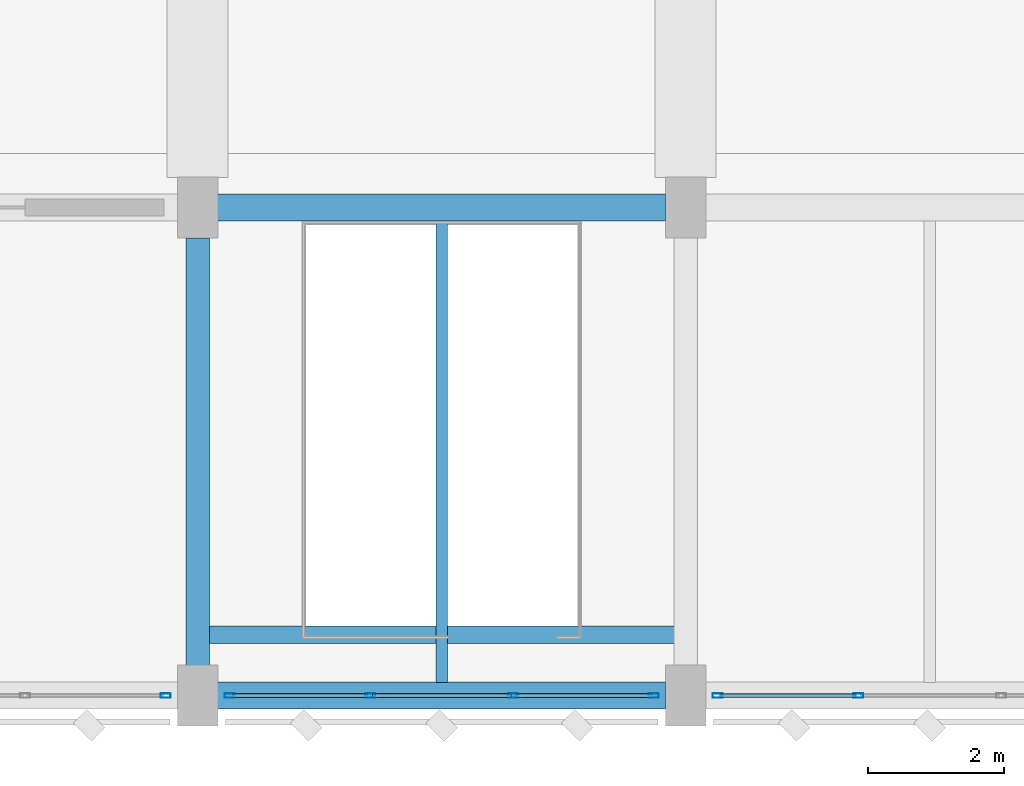
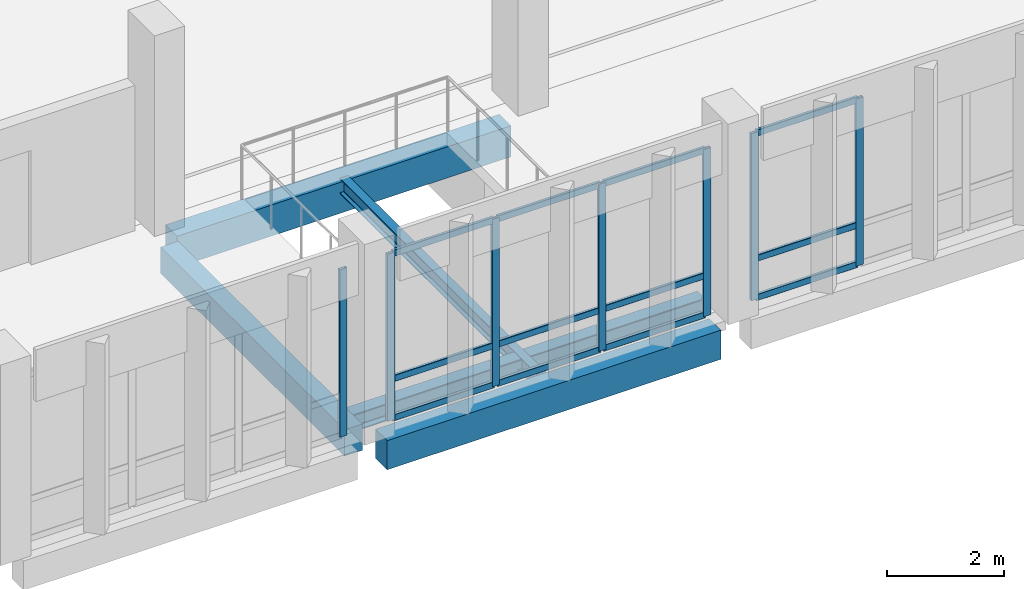
# One storey, part 72 of 158: 19 members, 5 beams, 3 elements without a shape of their own.
"""IFC4 building model written with IfcOpenShell, lengths in metres."""

from ifc_helpers import new_model, si_unit, direction, frame, origin, origin_2d, place, context, subcontext, project, spatial, rectangle, hollow_rectangle, i_section, extrude, material, material_profile, profile_set, type_object, element, aggregate, save


model = new_model("IFC4")

# Units and contexts
model_context = context("Model", 3, precision=1e-05, world=origin(), true_north=direction((0.0, 1.0)))
body_context = subcontext(model_context, "Body", "Model", "MODEL_VIEW")
ifc_project = project(units=[si_unit("LENGTHUNIT", "METRE"), si_unit("AREAUNIT", "SQUARE_METRE"), si_unit("VOLUMEUNIT", "CUBIC_METRE"), si_unit("PLANEANGLEUNIT", "RADIAN"), si_unit("MASSUNIT", "GRAM", prefix="KILO")], contexts=[model_context])

# Site, building, storey
site_placement = place(None, origin())
site = spatial("IfcSite", under=ifc_project, at=site_placement, CompositionType="ELEMENT")
building_placement = place(site_placement, origin())
building = spatial("IfcBuilding", under=site, at=building_placement, Name="Lusvemor Sports Hall", CompositionType="ELEMENT")
storey_placement = place(building_placement, frame((0.0, 0.0, 10.800048828125)))
storey = spatial("IfcBuildingStorey", under=building, at=storey_placement, Name="L02", CompositionType="ELEMENT", Elevation=10.800048828125)

# Beams
ifc_material_1 = material(Name="Concrete C40/50", Category="concrete")
ifc_material_profile_1 = material_profile(ifc_material_1, rectangle(XDim=0.35009765625, YDim=0.550048828125, at=origin_2d()), Name="RC350x550")
ifc_profile_set_1 = profile_set([ifc_material_profile_1], Name="Concrete C40/50")
beam_type_1 = type_object("IfcBeamType", Name="BEAM_RC_550", PredefinedType="BEAM", material=ifc_profile_set_1)
beam_1_placement = place(storey_placement, frame((126.0, 0.446044921875, -0.53515625), z_axis=(0.0, 1.0, 0.0), x_axis=(-1.0, 0.0, 0.0)))
element("IfcBeam", 1, at=beam_1_placement, inside=storey, type_object=beam_type_1, Name="Beam L02 14:A-B", PredefinedType="BEAM", context=body_context, shape_type="SweptSolid", body=[
    extrude(rectangle(XDim=0.35009765625, YDim=0.550048828125, at=origin_2d()), origin(), (0.0, 0.0, 1.0), 6.307861328125),
])
ifc_material_2 = material(Name="Concrete C40/50", Category="concrete")
ifc_material_profile_2 = material_profile(ifc_material_2, rectangle(XDim=0.39990234375, YDim=0.64990234375, at=origin_2d()), Name="RC400x650")
ifc_profile_set_2 = profile_set([ifc_material_profile_2], Name="Concrete C40/50")
beam_type_2 = type_object("IfcBeamType", Name="BEAM_RC_650", PredefinedType="BEAM", material=ifc_profile_set_2)
beam_2_placement = place(storey_placement, frame((126.2958984375, 7.199951171875, -0.675048828125), z_axis=(1.0, 0.0, 0.0), x_axis=(0.0, 1.0, 0.0)))
element("IfcBeam", 2, at=beam_2_placement, inside=storey, type_object=beam_type_2, Name="Beam L02 B:14-15", PredefinedType="BEAM", context=body_context, shape_type="SweptSolid", body=[
    extrude(rectangle(XDim=0.39990234375, YDim=0.64990234375, at=origin_2d()), origin(), (0.0, 0.0, 1.0), 6.608154296875),
])
ifc_material_3 = material(Name="Steel S355", Category="steel")
ifc_material_profile_3 = material_profile(ifc_material_3, i_section(OverallWidth=0.256103515625, OverallDepth=0.360107421875, WebThickness=0.011474609375, FlangeThickness=0.02001953125, FilletRadius=0.014892578125, at=origin_2d()), Name="W360x110.0")
ifc_profile_set_3 = profile_set([ifc_material_profile_3], Name="Steel S355")
beam_type_3 = type_object("IfcBeamType", Name="BEAM_ST_360H", PredefinedType="BEAM", material=ifc_profile_set_3)
beam_3_placement = place(storey_placement, frame((126.050048828125, 0.89990234375, -0.449951171875), z_axis=(1.0, 0.0, 0.0), x_axis=(0.0, 1.0, 0.0)))
element("IfcBeam", 3, at=beam_3_placement, inside=storey, type_object=beam_type_3, Name="STR-V2-CONC Top Trimmer Girder", PredefinedType="BEAM", context=body_context, shape_type="SweptSolid", body=[
    extrude(i_section(OverallWidth=0.256103515625, OverallDepth=0.360107421875, WebThickness=0.011474609375, FlangeThickness=0.02001953125, FilletRadius=0.014892578125, at=origin_2d()), origin(), (0.0, 0.0, 1.0), 7.099853515625),
])

# Curtain wall, member
ifc_material_4 = material(Name="Thermally broken bronze-anodized aluminium", Category="aluminium")
curtain_wall_type = type_object("IfcCurtainWallType", Name="CW_COURT_C", PredefinedType="NOTDEFINED", material=ifc_material_4)
curtain_wall_1_placement = place(storey_placement, origin())
curtain_wall_1 = element("IfcCurtainWall", 4, at=curtain_wall_1_placement, inside=storey, type_object=curtain_wall_type, Name="Curtain Wall CW-V2S-L02-0", PredefinedType="NOTDEFINED")
ifc_material_5 = material(Name="Thermally broken bronze-anodized aluminium", Category="aluminium")
ifc_material_profile_4 = material_profile(ifc_material_5, hollow_rectangle(XDim=0.06494140625, YDim=0.14990234375, WallThickness=0.00390625, InnerFilletRadius=0.00390625, OuterFilletRadius=0.008056640625, at=origin_2d()), Name="CWMUL150x65x4")
ifc_profile_set_4 = profile_set([ifc_material_profile_4], Name="Thermally broken bronze-anodized aluminium")
member_type_1 = type_object("IfcMemberType", Name="CW_MUL_B", PredefinedType="MULLION", material=ifc_profile_set_4)
member_1_placement = place(storey_placement, frame((125.527587890625, 0.0, 0.0), z_axis=(0.0, 0.0, 1.0), x_axis=(0.0, -1.0, 0.0)))
member_1 = element("IfcMember", 5, at=member_1_placement, type_object=member_type_1, Name="CW03 mullion 1", PredefinedType="MULLION", context=body_context, shape_type="SweptSolid", body=[
    extrude(hollow_rectangle(XDim=0.06494140625, YDim=0.14990234375, WallThickness=0.00390625, InnerFilletRadius=0.00390625, OuterFilletRadius=0.008056640625, at=origin_2d()), origin(), (0.0, 0.0, 1.0), 3.5),
])
aggregate(curtain_wall_1, [member_1])

# Curtain wall, members
curtain_wall_2_placement = place(storey_placement, origin())
curtain_wall_2 = element("IfcCurtainWall", 6, at=curtain_wall_2_placement, inside=storey, type_object=curtain_wall_type, Name="Curtain Wall CW-V2S-L02-1", PredefinedType="NOTDEFINED")
member_2_placement = place(storey_placement, frame((132.7275390625, 0.0, 0.0), z_axis=(0.0, 0.0, 1.0), x_axis=(0.0, -1.0, 0.0)))
member_2 = element("IfcMember", 7, at=member_2_placement, type_object=member_type_1, Name="CW03 mullion 1", PredefinedType="MULLION", context=body_context, shape_type="SweptSolid", body=[
    extrude(hollow_rectangle(XDim=0.06494140625, YDim=0.14990234375, WallThickness=0.00390625, InnerFilletRadius=0.00390625, OuterFilletRadius=0.008056640625, at=origin_2d()), origin(), (0.0, 0.0, 1.0), 3.5),
])
member_3_placement = place(storey_placement, frame((130.6533203125, 0.0, 0.0), z_axis=(0.0, 0.0, 1.0), x_axis=(0.0, -1.0, 0.0)))
member_3 = element("IfcMember", 8, at=member_3_placement, type_object=member_type_1, Name="CW03 mullion 2", PredefinedType="MULLION", context=body_context, shape_type="SweptSolid", body=[
    extrude(hollow_rectangle(XDim=0.06494140625, YDim=0.14990234375, WallThickness=0.00390625, InnerFilletRadius=0.00390625, OuterFilletRadius=0.008056640625, at=origin_2d()), origin(), (0.0, 0.0, 1.0), 3.5),
])
member_4_placement = place(storey_placement, frame((128.546630859375, 0.0, 0.0), z_axis=(0.0, 0.0, 1.0), x_axis=(0.0, -1.0, 0.0)))
member_4 = element("IfcMember", 9, at=member_4_placement, type_object=member_type_1, Name="CW03 mullion 3", PredefinedType="MULLION", context=body_context, shape_type="SweptSolid", body=[
    extrude(hollow_rectangle(XDim=0.06494140625, YDim=0.14990234375, WallThickness=0.00390625, InnerFilletRadius=0.00390625, OuterFilletRadius=0.008056640625, at=origin_2d()), origin(), (0.0, 0.0, 1.0), 3.5),
])
member_5_placement = place(storey_placement, frame((126.472412109375, 0.0, 0.0), z_axis=(0.0, 0.0, 1.0), x_axis=(0.0, -1.0, 0.0)))
member_5 = element("IfcMember", 10, at=member_5_placement, type_object=member_type_1, Name="CW03 mullion 4", PredefinedType="MULLION", context=body_context, shape_type="SweptSolid", body=[
    extrude(hollow_rectangle(XDim=0.06494140625, YDim=0.14990234375, WallThickness=0.00390625, InnerFilletRadius=0.00390625, OuterFilletRadius=0.008056640625, at=origin_2d()), origin(), (0.0, 0.0, 1.0), 3.5),
])

curtain_wall_3_placement = place(storey_placement, origin())
curtain_wall_3 = element("IfcCurtainWall", 11, at=curtain_wall_3_placement, inside=storey, type_object=curtain_wall_type, Name="Curtain Wall CW-V2S-L02-2", PredefinedType="NOTDEFINED")
member_6_placement = place(storey_placement, frame((135.74658203125, 0.0, 0.0), z_axis=(0.0, 0.0, 1.0), x_axis=(0.0, -1.0, 0.0)))
member_6 = element("IfcMember", 12, at=member_6_placement, type_object=member_type_1, Name="CW03 mullion 3", PredefinedType="MULLION", context=body_context, shape_type="SweptSolid", body=[
    extrude(hollow_rectangle(XDim=0.06494140625, YDim=0.14990234375, WallThickness=0.00390625, InnerFilletRadius=0.00390625, OuterFilletRadius=0.008056640625, at=origin_2d()), origin(), (0.0, 0.0, 1.0), 3.5),
])
member_7_placement = place(storey_placement, frame((133.672607421875, 0.0, 0.0), z_axis=(0.0, 0.0, 1.0), x_axis=(0.0, -1.0, 0.0)))
member_7 = element("IfcMember", 13, at=member_7_placement, type_object=member_type_1, Name="CW03 mullion 4", PredefinedType="MULLION", context=body_context, shape_type="SweptSolid", body=[
    extrude(hollow_rectangle(XDim=0.06494140625, YDim=0.14990234375, WallThickness=0.00390625, InnerFilletRadius=0.00390625, OuterFilletRadius=0.008056640625, at=origin_2d()), origin(), (0.0, 0.0, 1.0), 3.5),
])

# Member
ifc_material_6 = material(Name="Thermally broken bronze-anodized aluminium", Category="aluminium")
ifc_material_profile_5 = material_profile(ifc_material_6, hollow_rectangle(XDim=0.06005859375, YDim=0.135009765625, WallThickness=0.00390625, InnerFilletRadius=0.00390625, OuterFilletRadius=0.008056640625, at=origin_2d()), Name="CWTRN135x60x4")
ifc_profile_set_5 = profile_set([ifc_material_profile_5], Name="Thermally broken bronze-anodized aluminium")
member_type_2 = type_object("IfcMemberType", Name="CW_TRN_B", PredefinedType="USERDEFINED", material=ifc_profile_set_5)
member_8_placement = place(storey_placement, frame((132.695068359375, 0.0, 0.030029296875), z_axis=(-1.0, 0.0, 0.0), x_axis=(0.0, -1.0, 0.0)))
member_8 = element("IfcMember", 14, at=member_8_placement, type_object=member_type_2, Name="CW03 transom 1.1", ObjectType="TRANSOM", PredefinedType="USERDEFINED", context=body_context, shape_type="SweptSolid", body=[
    extrude(hollow_rectangle(XDim=0.06005859375, YDim=0.135009765625, WallThickness=0.00390625, InnerFilletRadius=0.00390625, OuterFilletRadius=0.008056640625, at=origin_2d()), origin(), (0.0, 0.0, 1.0), 2.00927734375),
])

member_9_placement = place(storey_placement, frame((132.695068359375, 0.0, 0.849853515625), z_axis=(-1.0, 0.0, 0.0), x_axis=(0.0, -1.0, 0.0)))
member_9 = element("IfcMember", 15, at=member_9_placement, type_object=member_type_2, Name="CW03 transom 1.2", ObjectType="TRANSOM", PredefinedType="USERDEFINED", context=body_context, shape_type="SweptSolid", body=[
    extrude(hollow_rectangle(XDim=0.06005859375, YDim=0.135009765625, WallThickness=0.00390625, InnerFilletRadius=0.00390625, OuterFilletRadius=0.008056640625, at=origin_2d()), origin(), (0.0, 0.0, 1.0), 2.00927734375),
])

member_10_placement = place(storey_placement, frame((132.695068359375, 0.0, 3.469970703125), z_axis=(-1.0, 0.0, 0.0), x_axis=(0.0, -1.0, 0.0)))
member_10 = element("IfcMember", 16, at=member_10_placement, type_object=member_type_2, Name="CW03 transom 1.3", ObjectType="TRANSOM", PredefinedType="USERDEFINED", context=body_context, shape_type="SweptSolid", body=[
    extrude(hollow_rectangle(XDim=0.06005859375, YDim=0.135009765625, WallThickness=0.00390625, InnerFilletRadius=0.00390625, OuterFilletRadius=0.008056640625, at=origin_2d()), origin(), (0.0, 0.0, 1.0), 2.00927734375),
])

member_11_placement = place(storey_placement, frame((130.620849609375, 0.0, 0.030029296875), z_axis=(-1.0, 0.0, 0.0), x_axis=(0.0, -1.0, 0.0)))
member_11 = element("IfcMember", 17, at=member_11_placement, type_object=member_type_2, Name="CW03 transom 2.1", ObjectType="TRANSOM", PredefinedType="USERDEFINED", context=body_context, shape_type="SweptSolid", body=[
    extrude(hollow_rectangle(XDim=0.06005859375, YDim=0.135009765625, WallThickness=0.00390625, InnerFilletRadius=0.00390625, OuterFilletRadius=0.008056640625, at=origin_2d()), origin(), (0.0, 0.0, 1.0), 2.041748046875),
])

member_12_placement = place(storey_placement, frame((130.620849609375, 0.0, 0.849853515625), z_axis=(-1.0, 0.0, 0.0), x_axis=(0.0, -1.0, 0.0)))
member_12 = element("IfcMember", 18, at=member_12_placement, type_object=member_type_2, Name="CW03 transom 2.2", ObjectType="TRANSOM", PredefinedType="USERDEFINED", context=body_context, shape_type="SweptSolid", body=[
    extrude(hollow_rectangle(XDim=0.06005859375, YDim=0.135009765625, WallThickness=0.00390625, InnerFilletRadius=0.00390625, OuterFilletRadius=0.008056640625, at=origin_2d()), origin(), (0.0, 0.0, 1.0), 2.041748046875),
])

member_13_placement = place(storey_placement, frame((130.620849609375, 0.0, 3.469970703125), z_axis=(-1.0, 0.0, 0.0), x_axis=(0.0, -1.0, 0.0)))
member_13 = element("IfcMember", 19, at=member_13_placement, type_object=member_type_2, Name="CW03 transom 2.3", ObjectType="TRANSOM", PredefinedType="USERDEFINED", context=body_context, shape_type="SweptSolid", body=[
    extrude(hollow_rectangle(XDim=0.06005859375, YDim=0.135009765625, WallThickness=0.00390625, InnerFilletRadius=0.00390625, OuterFilletRadius=0.008056640625, at=origin_2d()), origin(), (0.0, 0.0, 1.0), 2.041748046875),
])

member_14_placement = place(storey_placement, frame((128.51416015625, 0.0, 0.030029296875), z_axis=(-1.0, 0.0, 0.0), x_axis=(0.0, -1.0, 0.0)))
member_14 = element("IfcMember", 20, at=member_14_placement, type_object=member_type_2, Name="CW03 transom 3.1", ObjectType="TRANSOM", PredefinedType="USERDEFINED", context=body_context, shape_type="SweptSolid", body=[
    extrude(hollow_rectangle(XDim=0.06005859375, YDim=0.135009765625, WallThickness=0.00390625, InnerFilletRadius=0.00390625, OuterFilletRadius=0.008056640625, at=origin_2d()), origin(), (0.0, 0.0, 1.0), 2.00927734375),
])

member_15_placement = place(storey_placement, frame((128.51416015625, 0.0, 0.849853515625), z_axis=(-1.0, 0.0, 0.0), x_axis=(0.0, -1.0, 0.0)))
member_15 = element("IfcMember", 21, at=member_15_placement, type_object=member_type_2, Name="CW03 transom 3.2", ObjectType="TRANSOM", PredefinedType="USERDEFINED", context=body_context, shape_type="SweptSolid", body=[
    extrude(hollow_rectangle(XDim=0.06005859375, YDim=0.135009765625, WallThickness=0.00390625, InnerFilletRadius=0.00390625, OuterFilletRadius=0.008056640625, at=origin_2d()), origin(), (0.0, 0.0, 1.0), 2.00927734375),
])

member_16_placement = place(storey_placement, frame((128.51416015625, 0.0, 3.469970703125), z_axis=(-1.0, 0.0, 0.0), x_axis=(0.0, -1.0, 0.0)))
member_16 = element("IfcMember", 22, at=member_16_placement, type_object=member_type_2, Name="CW03 transom 3.3", ObjectType="TRANSOM", PredefinedType="USERDEFINED", context=body_context, shape_type="SweptSolid", body=[
    extrude(hollow_rectangle(XDim=0.06005859375, YDim=0.135009765625, WallThickness=0.00390625, InnerFilletRadius=0.00390625, OuterFilletRadius=0.008056640625, at=origin_2d()), origin(), (0.0, 0.0, 1.0), 2.00927734375),
])

aggregate(curtain_wall_2, [member_2, member_3, member_4, member_5, member_8, member_9, member_10, member_11, member_12, member_13, member_14, member_15, member_16])

member_17_placement = place(storey_placement, frame((135.714111328125, 0.0, 0.030029296875), z_axis=(-1.0, 0.0, 0.0), x_axis=(0.0, -1.0, 0.0)))
member_17 = element("IfcMember", 23, at=member_17_placement, type_object=member_type_2, Name="CW03 transom 3.1", ObjectType="TRANSOM", PredefinedType="USERDEFINED", context=body_context, shape_type="SweptSolid", body=[
    extrude(hollow_rectangle(XDim=0.06005859375, YDim=0.135009765625, WallThickness=0.00390625, InnerFilletRadius=0.00390625, OuterFilletRadius=0.008056640625, at=origin_2d()), origin(), (0.0, 0.0, 1.0), 2.009033203125),
])

member_18_placement = place(storey_placement, frame((135.714111328125, 0.0, 0.849853515625), z_axis=(-1.0, 0.0, 0.0), x_axis=(0.0, -1.0, 0.0)))
member_18 = element("IfcMember", 24, at=member_18_placement, type_object=member_type_2, Name="CW03 transom 3.2", ObjectType="TRANSOM", PredefinedType="USERDEFINED", context=body_context, shape_type="SweptSolid", body=[
    extrude(hollow_rectangle(XDim=0.06005859375, YDim=0.135009765625, WallThickness=0.00390625, InnerFilletRadius=0.00390625, OuterFilletRadius=0.008056640625, at=origin_2d()), origin(), (0.0, 0.0, 1.0), 2.009033203125),
])

member_19_placement = place(storey_placement, frame((135.714111328125, 0.0, 3.469970703125), z_axis=(-1.0, 0.0, 0.0), x_axis=(0.0, -1.0, 0.0)))
member_19 = element("IfcMember", 25, at=member_19_placement, type_object=member_type_2, Name="CW03 transom 3.3", ObjectType="TRANSOM", PredefinedType="USERDEFINED", context=body_context, shape_type="SweptSolid", body=[
    extrude(hollow_rectangle(XDim=0.06005859375, YDim=0.135009765625, WallThickness=0.00390625, InnerFilletRadius=0.00390625, OuterFilletRadius=0.008056640625, at=origin_2d()), origin(), (0.0, 0.0, 1.0), 2.009033203125),
])

aggregate(curtain_wall_3, [member_6, member_7, member_17, member_18, member_19])

# Beams
ifc_material_7 = material(Name="Steel S355", Category="steel")
ifc_material_profile_6 = material_profile(ifc_material_7, i_section(OverallWidth=0.1669921875, OverallDepth=0.31689453125, WebThickness=0.007568359375, FlangeThickness=0.01318359375, FilletRadius=0.014892578125, at=origin_2d()), Name="W310x52.0")
ifc_profile_set_6 = profile_set([ifc_material_profile_6], Name="Steel S355")
beam_type_4 = type_object("IfcBeamType", Name="JOIST_ST_310M", PredefinedType="JOIST", material=ifc_profile_set_6)
beam_4_placement = place(storey_placement, frame((129.60009765625, 0.196044921875, -0.422607421875), z_axis=(0.0, 1.0, 0.0), x_axis=(-1.0, 0.0, 0.0)))
element("IfcBeam", 26, at=beam_4_placement, inside=storey, type_object=beam_type_4, Name="Secondary Joist L02 14-15/A-B #1", PredefinedType="JOIST", context=body_context, shape_type="SweptSolid", body=[
    extrude(i_section(OverallWidth=0.1669921875, OverallDepth=0.31689453125, WebThickness=0.007568359375, FlangeThickness=0.01318359375, FilletRadius=0.014892578125, at=origin_2d()), origin(), (0.0, 0.0, 1.0), 6.807861328125),
])
ifc_material_8 = material(Name="Concrete C40/50", Category="concrete")
ifc_material_profile_7 = material_profile(ifc_material_8, rectangle(XDim=0.39990234375, YDim=0.610107421875, at=origin_2d()), Name="RC400x610")
ifc_profile_set_7 = profile_set([ifc_material_profile_7], Name="Concrete C40/50")
beam_type_5 = type_object("IfcBeamType", Name="SPAND_EXT_650", PredefinedType="SPANDREL", material=ifc_profile_set_7)
beam_5_placement = place(storey_placement, frame((126.2958984375, 0.0, -0.56494140625), z_axis=(1.0, 0.0, 0.0), x_axis=(0.0, 1.0, 0.0)))
element("IfcBeam", 27, at=beam_5_placement, inside=storey, type_object=beam_type_5, Name="Beam L02 A:14-15", PredefinedType="SPANDREL", context=body_context, shape_type="SweptSolid", body=[
    extrude(rectangle(XDim=0.39990234375, YDim=0.610107421875, at=origin_2d()), origin(), (0.0, 0.0, 1.0), 6.608154296875),
])

save(model, "model.ifc")
